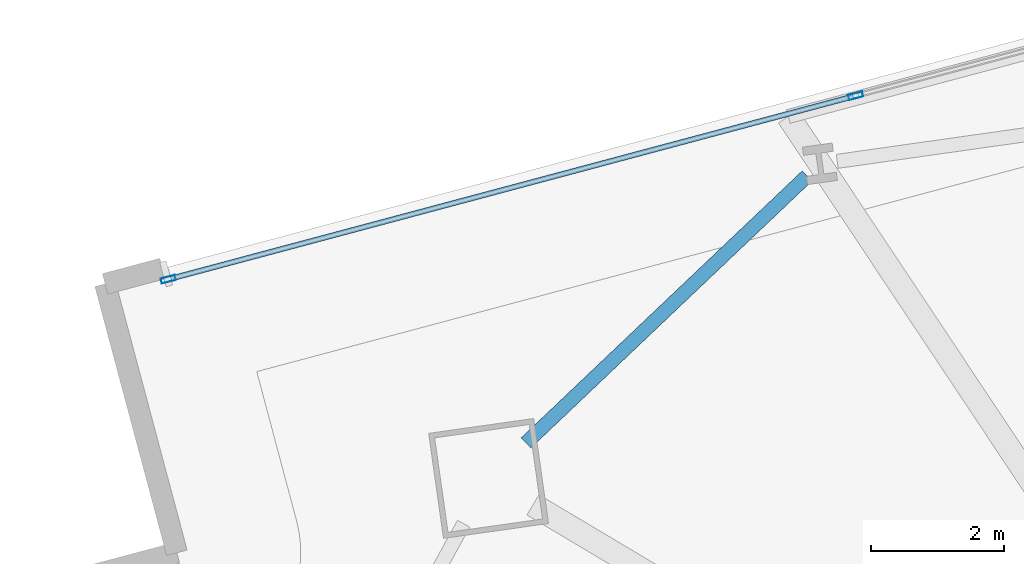
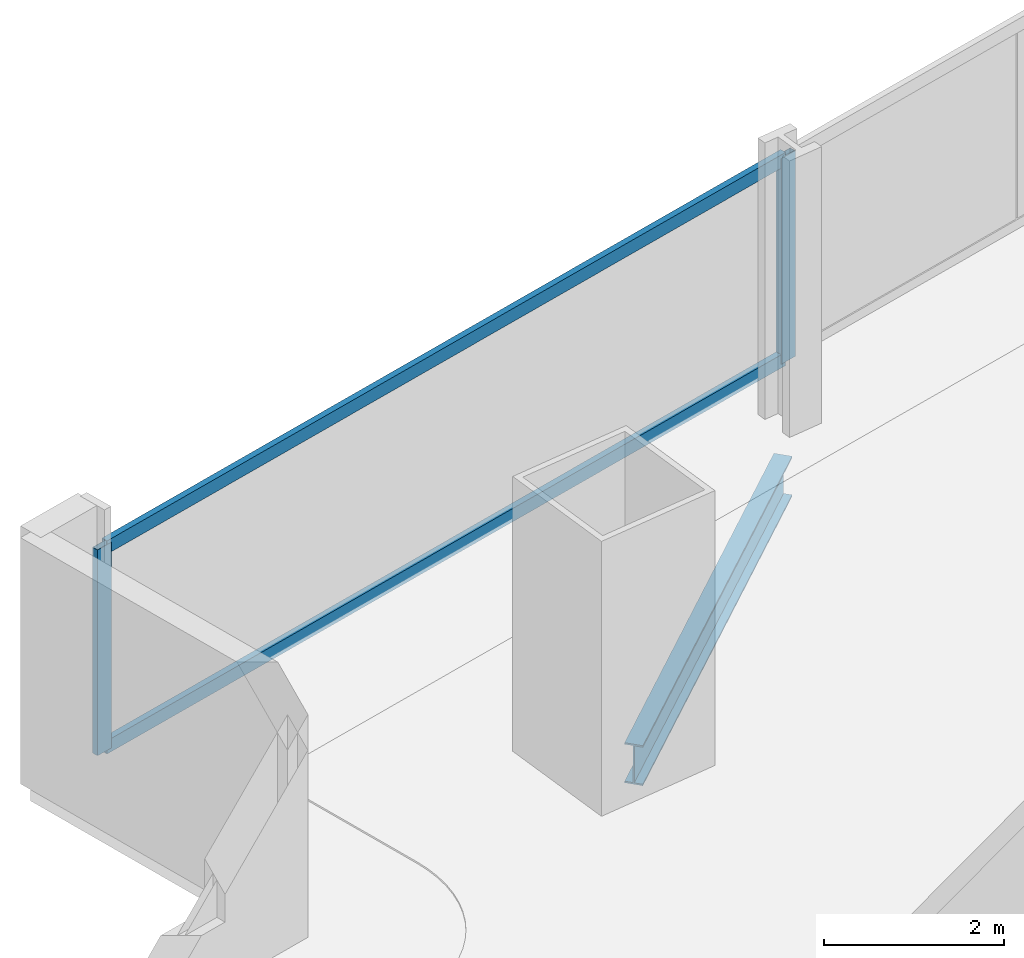
# One storey, part 17 of 33: 4 members, 1 beam, 1 element without a shape of its own.
"""IFC4 building model written with IfcOpenShell, lengths in metres."""

from ifc_helpers import new_model, si_unit, direction, frame, origin, origin_2d, place, context, subcontext, project, spatial, hollow_rectangle, i_section, extrude, material, material_profile, profile_set, type_object, element, aggregate, save


model = new_model("IFC4")

# Units and contexts
model_context = context("Model", 3, precision=1e-05, world=origin(), true_north=direction((0.0, 1.0)))
body_context = subcontext(model_context, "Body", "Model", "MODEL_VIEW")
ifc_project = project(units=[si_unit("LENGTHUNIT", "METRE"), si_unit("AREAUNIT", "SQUARE_METRE"), si_unit("VOLUMEUNIT", "CUBIC_METRE"), si_unit("PLANEANGLEUNIT", "RADIAN"), si_unit("MASSUNIT", "GRAM", prefix="KILO")], contexts=[model_context])

# Site, building, storey
site_placement = place(None, origin())
site = spatial("IfcSite", under=ifc_project, at=site_placement, CompositionType="ELEMENT")
building_placement = place(site_placement, origin())
building = spatial("IfcBuilding", under=site, at=building_placement, Name="Haldenkirk Collegiate Tower", CompositionType="ELEMENT")
storey_placement = place(building_placement, frame((0.0, 0.0, 77.699951171875)))
storey = spatial("IfcBuildingStorey", under=building, at=storey_placement, Name="L18", CompositionType="ELEMENT", Elevation=77.699951171875)

# Beam
ifc_material_1 = material(Name="Steel ASTM A992 Grade 50", Category="steel")
ifc_material_profile_1 = material_profile(ifc_material_1, i_section(OverallWidth=0.2119140625, OverallDepth=0.5439453125, WebThickness=0.01318359375, FlangeThickness=0.021240234375, at=origin_2d()), Name="W21X83")
ifc_profile_set_1 = profile_set([ifc_material_profile_1], Name="Steel ASTM A992 Grade 50")
beam_type = type_object("IfcBeamType", Name="BM-SPANDREL-W21X83", PredefinedType="SPANDREL", material=ifc_profile_set_1)
beam_placement = place(storey_placement, frame((18.28662109375, 46.619140625, -0.58203125), z_axis=(-0.725132817178, -0.688609030911, 0.0), x_axis=(0.688609030911, -0.725132817178, 0.0)))
element("IfcBeam", 1, at=beam_placement, inside=storey, type_object=beam_type, Name="L18 perimeter spandrel beam 12", PredefinedType="SPANDREL", context=body_context, shape_type="SweptSolid", body=[
    extrude(i_section(OverallWidth=0.2119140625, OverallDepth=0.5439453125, WebThickness=0.01318359375, FlangeThickness=0.021240234375, at=origin_2d()), origin(), (0.0, 0.0, 1.0), 5.848876953125),
])

# Curtain wall, members
ifc_material_2 = material(Name="Anodised architectural bronze aluminium", Category="aluminium")
curtain_wall_type = type_object("IfcCurtainWallType", Name="CW-SYS1-CONVEX-LOW", PredefinedType="USERDEFINED", material=ifc_material_2)
curtain_wall_placement = place(storey_placement, origin())
curtain_wall = element("IfcCurtainWall", 2, at=curtain_wall_placement, inside=storey, type_object=curtain_wall_type, Name="L18 Lower tower convex bronze-framed unitised curtain wall", ObjectType="UNITISED CURTAIN WALL", PredefinedType="USERDEFINED")
ifc_material_profile_2 = material_profile(ifc_material_2, hollow_rectangle(XDim=0.080078125, YDim=0.219970703125, WallThickness=0.0048828125, at=origin_2d()), Name="CW-MUL-1A")
ifc_profile_set_2 = profile_set([ifc_material_profile_2], Name="Anodised architectural bronze aluminium")
member_type_1 = type_object("IfcMemberType", Name="CW-MUL-1A", PredefinedType="MULLION", material=ifc_profile_set_2)
member_1_placement = place(storey_placement, frame((8.6474609375, 45.058837890625, 0.0), z_axis=(0.0, 0.0, 1.0), x_axis=(-0.257974128891, 0.966151824934, 0.0)))
member_1 = element("IfcMember", 3, at=member_1_placement, type_object=member_type_1, Name="CW-1A mullion 1", PredefinedType="MULLION", context=body_context, shape_type="SweptSolid", body=[
    extrude(hollow_rectangle(XDim=0.080078125, YDim=0.219970703125, WallThickness=0.0048828125, at=origin_2d()), origin(), (0.0, 0.0, 1.0), 2.791015625),
])
member_2_placement = place(storey_placement, frame((19.01904296875, 47.828125, 0.0), z_axis=(0.0, 0.0, 1.0), x_axis=(-0.257974128891, 0.966151824934, 0.0)))
member_2 = element("IfcMember", 4, at=member_2_placement, type_object=member_type_1, Name="CW-1A mullion 2", PredefinedType="MULLION", context=body_context, shape_type="SweptSolid", body=[
    extrude(hollow_rectangle(XDim=0.080078125, YDim=0.219970703125, WallThickness=0.0048828125, at=origin_2d()), origin(), (0.0, 0.0, 1.0), 2.791015625),
])
ifc_material_profile_3 = material_profile(ifc_material_2, hollow_rectangle(XDim=0.080078125, YDim=0.179931640625, WallThickness=0.0048828125, at=origin_2d()), Name="CW-TRN-1A")
ifc_profile_set_3 = profile_set([ifc_material_profile_3], Name="Anodised architectural bronze aluminium")
member_type_2 = type_object("IfcMemberType", Name="CW-TRN-1A", PredefinedType="USERDEFINED", material=ifc_profile_set_3)
member_3_placement = place(storey_placement, frame((8.68603515625, 45.069091796875, 0.0400390625), z_axis=(0.966150842062, 0.257977809865, 0.0), x_axis=(-0.257977809865, 0.966150842062, 0.0)))
member_3 = element("IfcMember", 5, at=member_3_placement, type_object=member_type_2, Name="CW-1A transom 1.1", ObjectType="TRANSOM", PredefinedType="USERDEFINED", context=body_context, shape_type="SweptSolid", body=[
    extrude(hollow_rectangle(XDim=0.080078125, YDim=0.179931640625, WallThickness=0.0048828125, at=origin_2d()), origin(), (0.0, 0.0, 1.0), 10.655029296875),
])
member_4_placement = place(storey_placement, frame((8.68603515625, 45.069091796875, 2.7509765625), z_axis=(0.966150842062, 0.257977809865, 0.0), x_axis=(-0.257977809865, 0.966150842062, 0.0)))
member_4 = element("IfcMember", 6, at=member_4_placement, type_object=member_type_2, Name="CW-1A transom 1.2", ObjectType="TRANSOM", PredefinedType="USERDEFINED", context=body_context, shape_type="SweptSolid", body=[
    extrude(hollow_rectangle(XDim=0.080078125, YDim=0.179931640625, WallThickness=0.0048828125, at=origin_2d()), origin(), (0.0, 0.0, 1.0), 10.655029296875),
])
aggregate(curtain_wall, [member_1, member_2, member_3, member_4])

save(model, "model.ifc")
